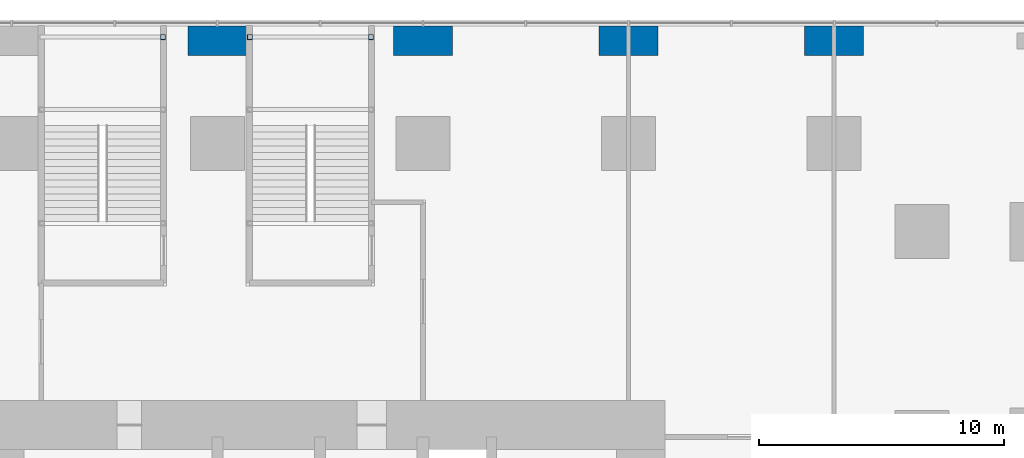
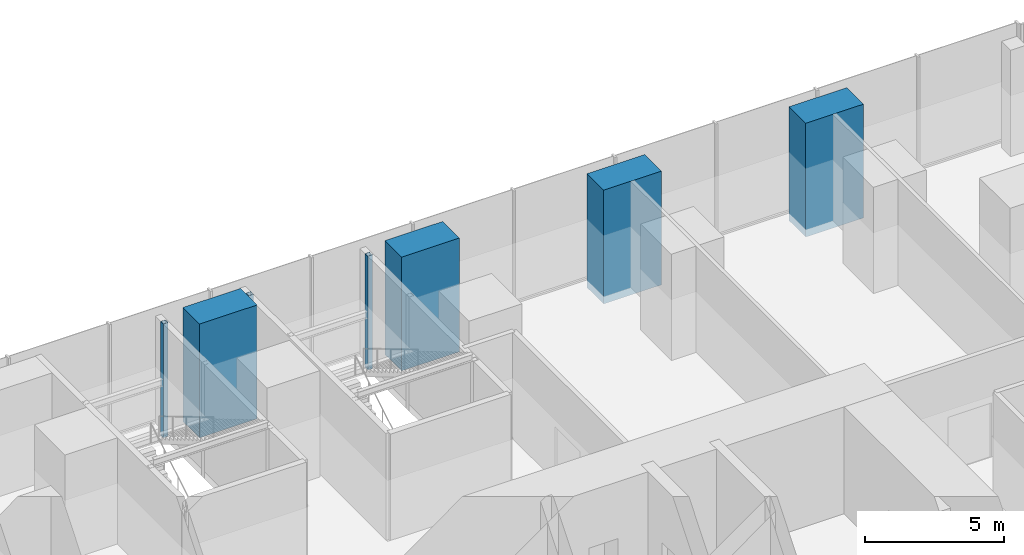
# One storey, part 13 of 33: 7 columns.
"""IFC4 building model written with IfcOpenShell, lengths in metres."""

from ifc_helpers import new_model, si_unit, direction, frame, origin, origin_2d, place, context, subcontext, project, spatial, rectangle, hollow_rectangle, extrude, material, material_profile, profile_set, type_object, element, save


model = new_model("IFC4")

# Units and contexts
model_context = context("Model", 3, precision=1e-05, world=origin(), true_north=direction((0.0, 1.0)))
body_context = subcontext(model_context, "Body", "Model", "MODEL_VIEW")
ifc_project = project(units=[si_unit("LENGTHUNIT", "METRE"), si_unit("AREAUNIT", "SQUARE_METRE"), si_unit("VOLUMEUNIT", "CUBIC_METRE"), si_unit("PLANEANGLEUNIT", "RADIAN"), si_unit("MASSUNIT", "GRAM", prefix="KILO")], contexts=[model_context])

# Site, building, storey
site_placement = place(None, origin())
site = spatial("IfcSite", under=ifc_project, at=site_placement, CompositionType="ELEMENT")
building_placement = place(site_placement, origin())
building = spatial("IfcBuilding", under=site, at=building_placement, Name="Dunama Terrace Hotel", CompositionType="ELEMENT")
storey_placement = place(building_placement, frame((0.0, 0.0, 12.0)))
storey = spatial("IfcBuildingStorey", under=building, at=storey_placement, Name="L02", CompositionType="ELEMENT", Elevation=12.0)

# Columns
ifc_material_1 = material(Name="Concrete C60/75", Category="concrete")
ifc_material_profile_1 = material_profile(ifc_material_1, rectangle(XDim=2.39990234375, YDim=1.199951171875, at=origin_2d()), Name="RC 2400x1200")
ifc_profile_set_1 = profile_set([ifc_material_profile_1], Name="Concrete C60/75")
column_type_1 = type_object("IfcColumnType", Name="Column RC 2400x1200", PredefinedType="COLUMN", material=ifc_profile_set_1)
for number, where, z_axis, x_axis, name in (
    (1, (25.199951171875, 58.199951171875, -0.300048828125), (0.0, 0.0, 1.0), (1.0, 0.0, 0.0), "Column L02 +25.2/+58.2"),
    (2, (33.60009765625, 58.199951171875, -0.300048828125), (0.0, 0.0, 1.0), (1.0, 0.0, 0.0), "Column L02 +33.6/+58.2"),
    (3, (42.0, 58.199951171875, -0.300048828125), (0.0, 0.0, 1.0), (1.0, 0.0, 0.0), "Column L02 +42.0/+58.2"),
    (4, (50.39990234375, 58.199951171875, -0.300048828125), (0.0, 0.0, 1.0), (1.0, 0.0, 0.0), "Column L02 +50.4/+58.2"),
):
    element("IfcColumn", number, at=place(storey_placement, frame(where, z_axis=z_axis, x_axis=x_axis)), inside=storey, type_object=column_type_1, Name=name, PredefinedType="COLUMN", context=body_context, shape_type="SweptSolid", body=[
        extrude(rectangle(XDim=2.39990234375, YDim=1.199951171875, at=origin_2d()), origin(), (0.0, 0.0, 1.0), 5.0),
    ])
ifc_material_2 = material(Name="Steel S355", Category="steel")
ifc_material_profile_2 = material_profile(ifc_material_2, hollow_rectangle(XDim=0.199951171875, YDim=0.199951171875, WallThickness=0.010009765625, at=origin_2d()), Name="SHS 200x200x10")
ifc_profile_set_2 = profile_set([ifc_material_profile_2], Name="Steel S355")
column_type_2 = type_object("IfcColumnType", Name="Stair post SHS 200x200x10", PredefinedType="COLUMN", material=ifc_profile_set_2)
for number, where, z_axis, x_axis, name in (
    (5, (22.97509765625, 58.35009765625, -0.300048828125), (0.0, 0.0, 1.0), (1.0, 0.0, 0.0), "Stair post P5 L02 +22.98/+58.35"),
    (6, (26.52490234375, 58.35009765625, -0.300048828125), (0.0, 0.0, 1.0), (1.0, 0.0, 0.0), "Stair post P6 L02 +26.52/+58.35"),
    (7, (31.47509765625, 58.35009765625, -0.300048828125), (0.0, 0.0, 1.0), (1.0, 0.0, 0.0), "Stair post P6 L02 +31.48/+58.35"),
):
    element("IfcColumn", number, at=place(storey_placement, frame(where, z_axis=z_axis, x_axis=x_axis)), inside=storey, type_object=column_type_2, Name=name, PredefinedType="COLUMN", context=body_context, shape_type="SweptSolid", body=[
        extrude(hollow_rectangle(XDim=0.199951171875, YDim=0.199951171875, WallThickness=0.010009765625, at=origin_2d()), origin(), (0.0, 0.0, 1.0), 5.0),
    ])

save(model, "model.ifc")
